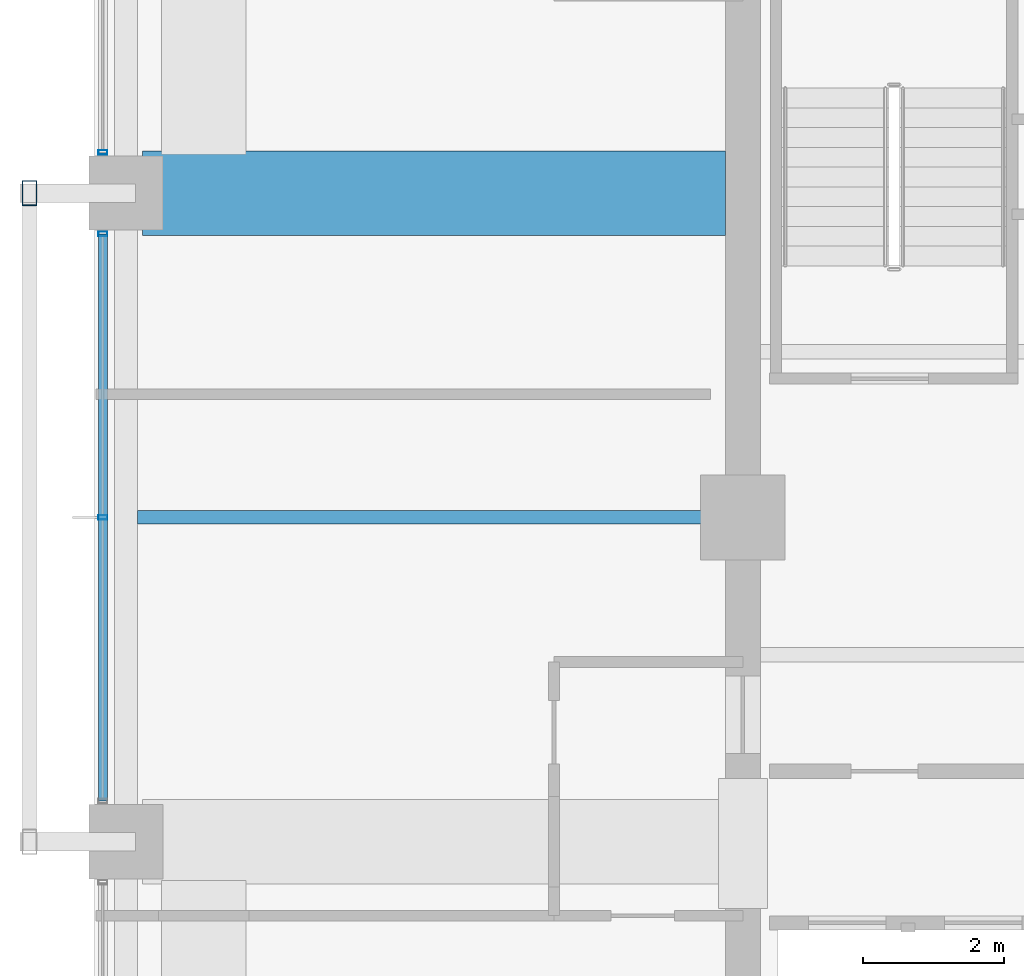
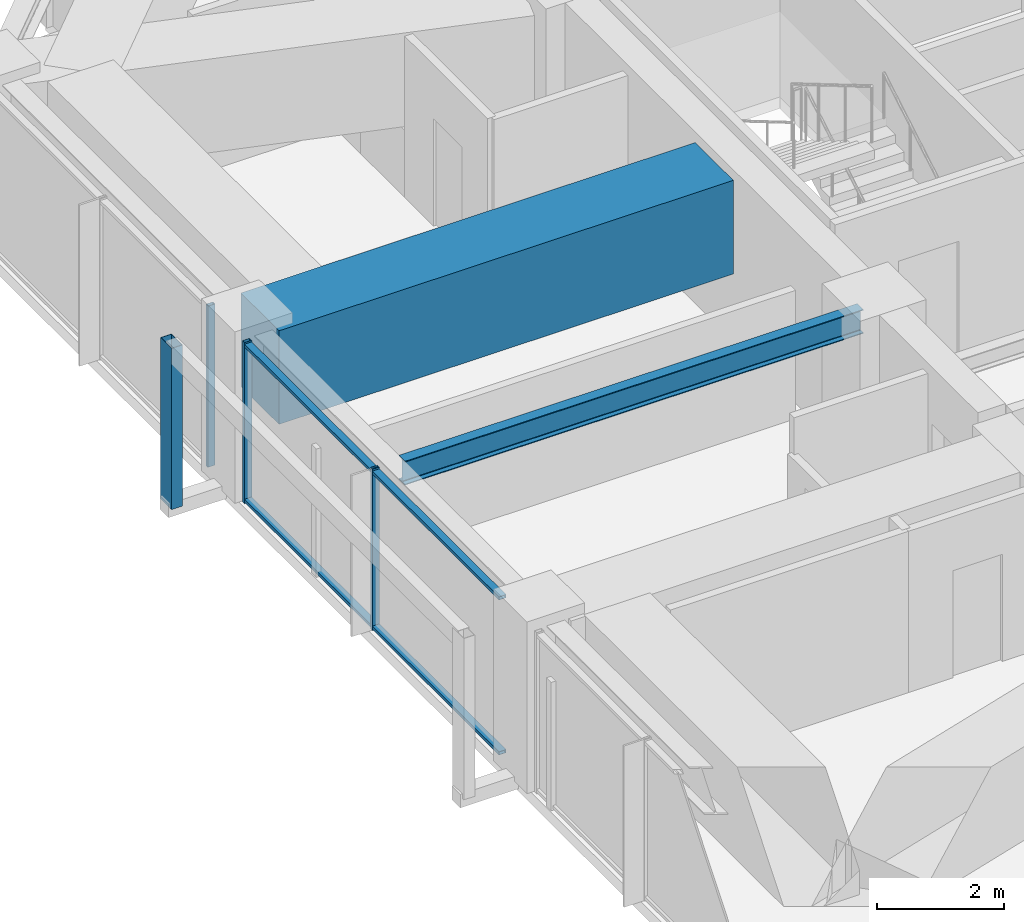
# One storey, part 8 of 28: 6 members, 2 beams, 2 elements without a shape of their own.
"""IFC4 building model written with IfcOpenShell, lengths in metres."""

from ifc_helpers import new_model, si_unit, direction, frame, origin, origin_2d, place, context, subcontext, project, spatial, rectangle, hollow_rectangle, i_section, extrude, material, material_profile, profile_set, type_object, element, aggregate, save


model = new_model("IFC4")

# Units and contexts
model_context = context("Model", 3, precision=1e-05, world=origin(), true_north=direction((0.0, 1.0)))
body_context = subcontext(model_context, "Body", "Model", "MODEL_VIEW")
ifc_project = project(units=[si_unit("LENGTHUNIT", "METRE"), si_unit("AREAUNIT", "SQUARE_METRE"), si_unit("VOLUMEUNIT", "CUBIC_METRE"), si_unit("PLANEANGLEUNIT", "RADIAN"), si_unit("MASSUNIT", "GRAM", prefix="KILO")], contexts=[model_context])

# Site, building, storey
site_placement = place(None, origin())
site = spatial("IfcSite", under=ifc_project, at=site_placement, CompositionType="ELEMENT")
building_placement = place(site_placement, origin())
building = spatial("IfcBuilding", under=site, at=building_placement, Name="Kolvaren Belvedere", CompositionType="ELEMENT")
storey_placement = place(building_placement, frame((0.0, 0.0, 125.0)))
storey = spatial("IfcBuildingStorey", under=building, at=storey_placement, Name="L36", CompositionType="ELEMENT", Elevation=125.0)

# Beams
ifc_material_1 = material(Name="Structural steel ASTM A992 Grade 50", Category="steel")
ifc_material_profile_1 = material_profile(ifc_material_1, i_section(OverallWidth=0.19091796875, OverallDepth=0.4599609375, WebThickness=0.010009765625, FlangeThickness=0.01611328125, FilletRadius=0.014892578125, at=origin_2d()), Name="W18X55")
ifc_profile_set_1 = profile_set([ifc_material_profile_1], Name="Structural steel ASTM A992 Grade 50")
beam_type_1 = type_object("IfcBeamType", Name="BM-JOIST-W18X55", PredefinedType="BEAM", material=ifc_profile_set_1)
beam_1_placement = place(storey_placement, frame((-10.14990234375, 0.0, 2.8701171875), z_axis=(-1.0, 0.0, 0.0), x_axis=(0.0, -1.0, 0.0)))
element("IfcBeam", 1, at=beam_1_placement, inside=storey, type_object=beam_type_1, Name="L36 West Centre Floor Beam", PredefinedType="BEAM", context=body_context, shape_type="SweptSolid", body=[
    extrude(i_section(OverallWidth=0.19091796875, OverallDepth=0.4599609375, WebThickness=0.010009765625, FlangeThickness=0.01611328125, FilletRadius=0.014892578125, at=origin_2d()), origin(), (0.0, 0.0, 1.0), 8.337646484375),
])
ifc_material_2 = material(Name="Concrete C50/60", Category="concrete")
ifc_material_profile_2 = material_profile(ifc_material_2, rectangle(XDim=1.199951171875, YDim=1.800048828125, at=origin_2d()), Name="RC 1200X1800")
ifc_profile_set_2 = profile_set([ifc_material_profile_2], Name="Concrete C50/60")
beam_type_2 = type_object("IfcBeamType", Name="BM-TG-1800", PredefinedType="BEAM", material=ifc_profile_set_2)
beam_2_placement = place(storey_placement, frame((-10.14990234375, 4.60009765625, 2.199951171875), z_axis=(-1.0, 0.0, 0.0), x_axis=(0.0, -1.0, 0.0)))
element("IfcBeam", 2, at=beam_2_placement, inside=storey, type_object=beam_type_2, Name="L36 West Radial Girder P", PredefinedType="BEAM", context=body_context, shape_type="SweptSolid", body=[
    extrude(rectangle(XDim=1.199951171875, YDim=1.800048828125, at=origin_2d()), origin(), (0.0, 0.0, 1.0), 8.263916015625),
])

# Curtain wall, members
ifc_material_3 = material(Name="Anodised pale-metal aluminium AA 6063-T6", Category="aluminium")
curtain_wall_type = type_object("IfcCurtainWallType", Name="CW-Z3-WAIST", PredefinedType="NOTDEFINED", material=ifc_material_3)
curtain_wall_1_placement = place(storey_placement, origin())
curtain_wall_1 = element("IfcCurtainWall", 3, at=curtain_wall_1_placement, inside=storey, type_object=curtain_wall_type, Name="L36 Unitised Curtain Wall FCW-L36-W-B2", PredefinedType="NOTDEFINED")
ifc_material_4 = material(Name="Anodised pale-metal aluminium AA 6063-T6", Category="aluminium")
ifc_material_profile_3 = material_profile(ifc_material_4, hollow_rectangle(XDim=0.06494140625, YDim=0.1298828125, WallThickness=0.00390625, at=origin_2d()), Name="ALU-MUL-130X65")
ifc_profile_set_3 = profile_set([ifc_material_profile_3], Name="Anodised pale-metal aluminium AA 6063-T6")
member_type_1 = type_object("IfcMemberType", Name="CW-MUL-130", PredefinedType="MULLION", material=ifc_profile_set_3)
member_1_placement = place(storey_placement, frame((-18.97998046875, 0.0, 0.0), z_axis=(0.0, 0.0, 1.0), x_axis=(0.0, 1.0, 0.0)))
member_1 = element("IfcMember", 4, at=member_1_placement, type_object=member_type_1, Name="FCW-L36-W-B2 Unitised Mullion 2", PredefinedType="MULLION", context=body_context, shape_type="SweptSolid", body=[
    extrude(hollow_rectangle(XDim=0.06494140625, YDim=0.1298828125, WallThickness=0.00390625, at=origin_2d()), origin(), (0.0, 0.0, 1.0), 3.10009765625),
])
member_2_placement = place(storey_placement, frame((-18.97998046875, 4.0224609375, 0.0), z_axis=(0.0, 0.0, 1.0), x_axis=(0.0, 1.0, 0.0)))
member_2 = element("IfcMember", 5, at=member_2_placement, type_object=member_type_1, Name="FCW-L36-W-B2 Unitised Mullion 3", PredefinedType="MULLION", context=body_context, shape_type="SweptSolid", body=[
    extrude(hollow_rectangle(XDim=0.06494140625, YDim=0.1298828125, WallThickness=0.00390625, at=origin_2d()), origin(), (0.0, 0.0, 1.0), 3.10009765625),
])

# Curtain wall, member
curtain_wall_2_placement = place(storey_placement, origin())
curtain_wall_2 = element("IfcCurtainWall", 6, at=curtain_wall_2_placement, inside=storey, type_object=curtain_wall_type, Name="L36 Unitised Curtain Wall FCW-L36-W-B3", PredefinedType="NOTDEFINED")
member_3_placement = place(storey_placement, frame((-18.97998046875, 5.177490234375, 0.0), z_axis=(0.0, 0.0, 1.0), x_axis=(0.0, 1.0, 0.0)))
member_3 = element("IfcMember", 7, at=member_3_placement, type_object=member_type_1, Name="FCW-L36-W-B3 Unitised Mullion 1", PredefinedType="MULLION", context=body_context, shape_type="SweptSolid", body=[
    extrude(hollow_rectangle(XDim=0.06494140625, YDim=0.1298828125, WallThickness=0.00390625, at=origin_2d()), origin(), (0.0, 0.0, 1.0), 3.10009765625),
])
aggregate(curtain_wall_2, [member_3])

# Member
ifc_material_5 = material(Name="Anodised pale-metal aluminium AA 6063-T6", Category="aluminium")
ifc_material_profile_4 = material_profile(ifc_material_5, hollow_rectangle(XDim=0.06005859375, YDim=0.1298828125, WallThickness=0.00390625, at=origin_2d()), Name="ALU-TRN-130X60")
ifc_profile_set_4 = profile_set([ifc_material_profile_4], Name="Anodised pale-metal aluminium AA 6063-T6")
member_type_2 = type_object("IfcMemberType", Name="CW-TRN-130", PredefinedType="USERDEFINED", material=ifc_profile_set_4)
member_4_placement = place(storey_placement, frame((-18.97998046875, -4.0224609375, 0.06005859375), z_axis=(0.0, 1.0, 0.0), x_axis=(0.0, 0.0, 1.0)))
member_4 = element("IfcMember", 8, at=member_4_placement, type_object=member_type_2, Name="FCW-L36-W-B2 Sill Transom", ObjectType="TRANSOM", PredefinedType="USERDEFINED", context=body_context, shape_type="SweptSolid", body=[
    extrude(hollow_rectangle(XDim=0.06005859375, YDim=0.1298828125, WallThickness=0.00390625, at=origin_2d()), origin(), (0.0, 0.0, 1.0), 8.044921875),
])

member_5_placement = place(storey_placement, frame((-18.97998046875, -4.0224609375, 3.0400390625), z_axis=(0.0, 1.0, 0.0), x_axis=(0.0, 0.0, 1.0)))
member_5 = element("IfcMember", 9, at=member_5_placement, type_object=member_type_2, Name="FCW-L36-W-B2 Head Transom", ObjectType="TRANSOM", PredefinedType="USERDEFINED", context=body_context, shape_type="SweptSolid", body=[
    extrude(hollow_rectangle(XDim=0.06005859375, YDim=0.1298828125, WallThickness=0.00390625, at=origin_2d()), origin(), (0.0, 0.0, 1.0), 8.044921875),
])

aggregate(curtain_wall_1, [member_1, member_2, member_4, member_5])

ifc_material_6 = material(Name="Anodised pale-metal aluminium AA 6063-T6", Category="aluminium")
ifc_material_profile_5 = material_profile(ifc_material_6, hollow_rectangle(XDim=0.199951171875, YDim=0.35009765625, WallThickness=0.007568359375, at=origin_2d()), Name="ALU-PF-350X200")
ifc_profile_set_5 = profile_set([ifc_material_profile_5], Name="Anodised pale-metal aluminium AA 6063-T6")
member_type_3 = type_object("IfcMemberType", Name="PF-FRAME-350", PredefinedType="USERDEFINED", material=ifc_profile_set_5)
member_6_placement = place(storey_placement, frame((-20.02001953125, 4.60009765625, 0.0), z_axis=(0.0, 0.0, 1.0), x_axis=(1.0, 0.0, 0.0)))
element("IfcMember", 10, at=member_6_placement, inside=storey, type_object=member_type_3, Name="L36 Outboard Picture-Frame Vertical W2", ObjectType="PICTURE FRAME FIN", PredefinedType="USERDEFINED", context=body_context, shape_type="SweptSolid", body=[
    extrude(hollow_rectangle(XDim=0.199951171875, YDim=0.35009765625, WallThickness=0.007568359375, at=origin_2d()), origin(), (0.0, 0.0, 1.0), 3.10009765625),
])

save(model, "model.ifc")
